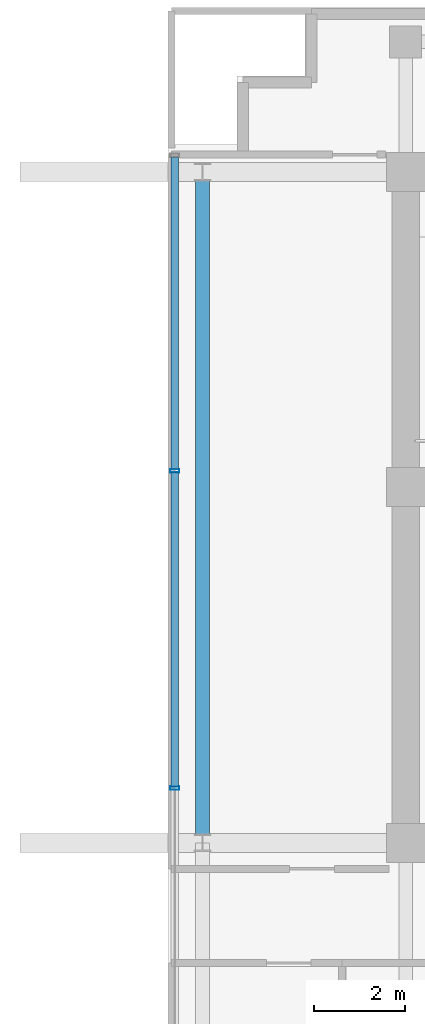
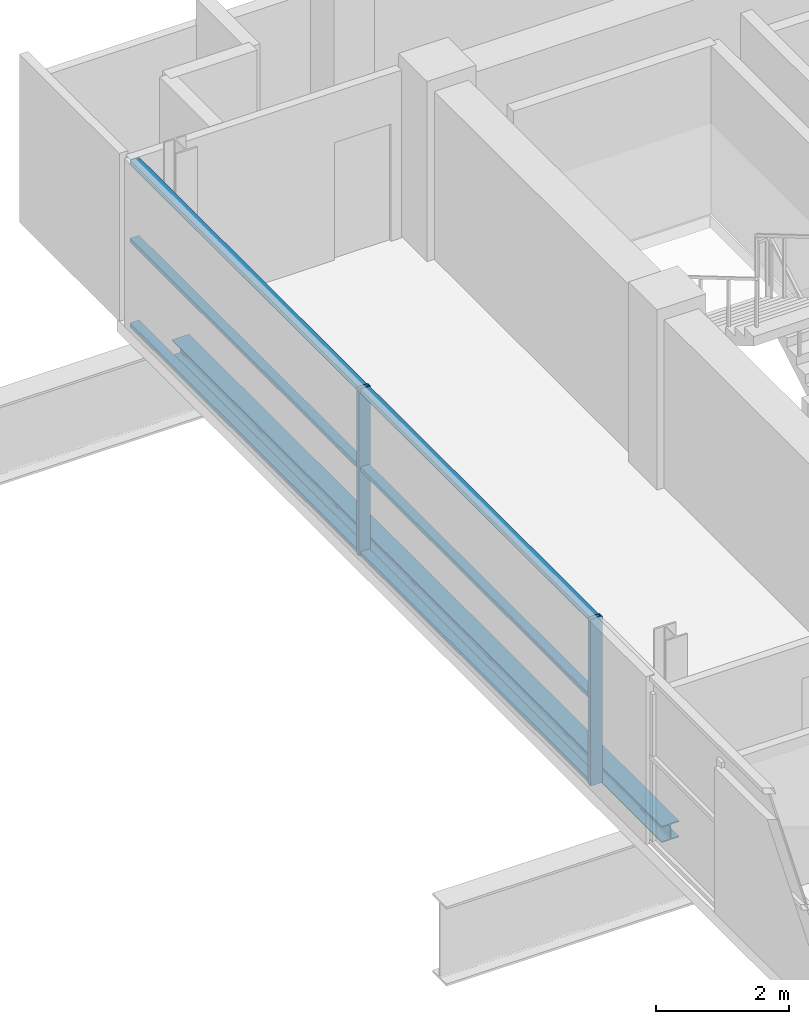
# One storey, part 7 of 23: 8 members, 1 beam, 1 element without a shape of its own.
"""IFC4 building model written with IfcOpenShell, lengths in metres."""

from ifc_helpers import new_model, si_unit, direction, frame, origin, origin_2d, place, context, subcontext, project, spatial, hollow_rectangle, i_section, extrude, source, transform, mapped, material, layer, layer_set, material_profile, profile_set, type_object, element, aggregate, save


model = new_model("IFC4")

# Units and contexts
model_context = context("Model", 3, precision=1e-05, world=origin(), true_north=direction((0.0, 1.0)))
body_context = subcontext(model_context, "Body", "Model", "MODEL_VIEW")
ifc_project = project(units=[si_unit("LENGTHUNIT", "METRE"), si_unit("AREAUNIT", "SQUARE_METRE"), si_unit("VOLUMEUNIT", "CUBIC_METRE"), si_unit("PLANEANGLEUNIT", "RADIAN"), si_unit("MASSUNIT", "GRAM", prefix="KILO")], contexts=[model_context])

# Site, building, storey
site_placement = place(None, origin())
site = spatial("IfcSite", under=ifc_project, at=site_placement, CompositionType="ELEMENT")
building_placement = place(site_placement, origin())
building = spatial("IfcBuilding", under=site, at=building_placement, Name="Zarnakvel Exchange Tower", CompositionType="ELEMENT")
storey_placement = place(building_placement, frame((0.0, 0.0, 232.0)))
storey = spatial("IfcBuildingStorey", under=building, at=storey_placement, Name="L65", CompositionType="ELEMENT", Elevation=232.0)

# Beam
ifc_material_1 = material(Name="Steel S355", Category="steel")
ifc_material_profile_1 = material_profile(ifc_material_1, i_section(OverallWidth=0.300048828125, OverallDepth=0.300048828125, WebThickness=0.010986328125, FlangeThickness=0.01904296875, FilletRadius=0.027099609375, at=origin_2d()))
ifc_profile_set_1 = profile_set([ifc_material_profile_1], Name="Steel S355")
beam_type = type_object("IfcBeamType", Name="SP-03", PredefinedType="SPANDREL", material=ifc_profile_set_1)
beam_placement = place(storey_placement, frame((-18.85009765625, -1.199951171875, -0.375), z_axis=(0.0, 1.0, 0.0), x_axis=(-1.0, 0.0, 0.0)))
element("IfcBeam", 1, at=beam_placement, inside=storey, type_object=beam_type, Name="L65 Tower N-S Frame Beam", PredefinedType="SPANDREL", context=body_context, shape_type="SweptSolid", body=[
    extrude(i_section(OverallWidth=0.300048828125, OverallDepth=0.300048828125, WebThickness=0.010986328125, FlangeThickness=0.01904296875, FilletRadius=0.027099609375, at=origin_2d()), origin(), (0.0, 0.0, 1.0), 14.699951171875),
])

# Curtain wall, members
ifc_material_2 = material(Name="Architectural Bronze Anodised Aluminium", Category="aluminium")
ifc_layer = layer(ifc_material_2, 0.199951171875)
ifc_layer_set = layer_set([ifc_layer], Name="Architectural Bronze Anodised Aluminium")
curtain_wall_type = type_object("IfcCurtainWallType", Name="CW-04", PredefinedType="NOTDEFINED", material=ifc_layer_set)
curtain_wall_placement = place(storey_placement, origin())
curtain_wall = element("IfcCurtainWall", 2, at=curtain_wall_placement, inside=storey, type_object=curtain_wall_type, Name="L65 Curtain Wall CW-L65-W1 (CW-04)", PredefinedType="NOTDEFINED")
ifc_material_profile_2 = material_profile(ifc_material_2, hollow_rectangle(XDim=0.199951171875, YDim=0.074951171875, WallThickness=0.0048828125, at=origin_2d()))
ifc_profile_set_2 = profile_set([ifc_material_profile_2], Name="Architectural Bronze Anodised Aluminium")
member_type_1 = type_object("IfcMemberType", Name="CWM-04", PredefinedType="MULLION", material=ifc_profile_set_2)
shared_shape_1 = source(origin(), body_context, "Body", "SweptSolid", [
    extrude(hollow_rectangle(XDim=0.199951171875, YDim=0.074951171875, WallThickness=0.0048828125, at=origin_2d()), origin(), (0.0, 0.0, 1.0), 3.054931640625),
])
member_1_placement = place(storey_placement, frame((-19.4599609375, 0.0, 0.0), z_axis=(0.0, 0.0, 1.0), x_axis=(-1.0, 0.0, 0.0)))
member_1 = element("IfcMember", 3, at=member_1_placement, type_object=member_type_1, Name="CW-04 mullion 3", PredefinedType="MULLION", context=body_context, shape_type="MappedRepresentation", body=[
    mapped(shared_shape_1, transform((0.0, 0.0, 0.0), x_axis=(1.0, 0.0, 0.0), y_axis=(0.0, 1.0, 0.0), z_axis=(0.0, 0.0, 1.0), scale=1.0)),
])
member_2_placement = place(storey_placement, frame((-19.4599609375, 6.949951171875, 0.0), z_axis=(0.0, 0.0, 1.0), x_axis=(-1.0, 0.0, 0.0)))
member_2 = element("IfcMember", 4, at=member_2_placement, type_object=member_type_1, Name="CW-04 mullion 4", PredefinedType="MULLION", context=body_context, shape_type="MappedRepresentation", body=[
    mapped(shared_shape_1, transform((0.0, 0.0, 0.0), x_axis=(1.0, 0.0, 0.0), y_axis=(0.0, 1.0, 0.0), z_axis=(0.0, 0.0, 1.0), scale=1.0)),
])
ifc_material_profile_3 = material_profile(ifc_material_2, hollow_rectangle(XDim=0.159912109375, YDim=0.074951171875, WallThickness=0.00390625, at=origin_2d()))
ifc_profile_set_3 = profile_set([ifc_material_profile_3], Name="Architectural Bronze Anodised Aluminium")
member_type_2 = type_object("IfcMemberType", Name="CWT-04", PredefinedType="USERDEFINED", material=ifc_profile_set_3)
shared_shape_2 = source(origin(), body_context, "Body", "SweptSolid", [
    extrude(hollow_rectangle(XDim=0.159912109375, YDim=0.074951171875, WallThickness=0.00390625, at=origin_2d()), origin(), (0.0, 0.0, 1.0), 6.83740234375),
])
member_3_placement = place(storey_placement, frame((-19.4599609375, 6.987548828125, 0.03759765625), z_axis=(0.0, 1.0, 0.0), x_axis=(-1.0, 0.0, 0.0)))
member_3 = element("IfcMember", 5, at=member_3_placement, type_object=member_type_2, Name="CW-04 transom 4.1", ObjectType="TRANSOM", PredefinedType="USERDEFINED", context=body_context, shape_type="MappedRepresentation", body=[
    mapped(shared_shape_2, transform((0.0, 0.0, 0.0), x_axis=(1.0, 0.0, 0.0), y_axis=(0.0, 1.0, 0.0), z_axis=(0.0, 0.0, 1.0), scale=1.0)),
])
member_4_placement = place(storey_placement, frame((-19.4599609375, 6.987548828125, 1.588623046875), z_axis=(0.0, 1.0, 0.0), x_axis=(-1.0, 0.0, 0.0)))
member_4 = element("IfcMember", 6, at=member_4_placement, type_object=member_type_2, Name="CW-04 transom 4.2", ObjectType="TRANSOM", PredefinedType="USERDEFINED", context=body_context, shape_type="MappedRepresentation", body=[
    mapped(shared_shape_2, transform((0.0, 0.0, 0.0), x_axis=(1.0, 0.0, 0.0), y_axis=(0.0, 1.0, 0.0), z_axis=(0.0, 0.0, 1.0), scale=1.0)),
])
member_5_placement = place(storey_placement, frame((-19.4599609375, 6.987548828125, 3.017578125), z_axis=(0.0, 1.0, 0.0), x_axis=(-1.0, 0.0, 0.0)))
member_5 = element("IfcMember", 7, at=member_5_placement, type_object=member_type_2, Name="CW-04 transom 4.3", ObjectType="TRANSOM", PredefinedType="USERDEFINED", context=body_context, shape_type="MappedRepresentation", body=[
    mapped(shared_shape_2, transform((0.0, 0.0, 0.0), x_axis=(1.0, 0.0, 0.0), y_axis=(0.0, 1.0, 0.0), z_axis=(0.0, 0.0, 1.0), scale=1.0)),
])
shared_shape_3 = source(origin(), body_context, "Body", "SweptSolid", [
    extrude(hollow_rectangle(XDim=0.159912109375, YDim=0.074951171875, WallThickness=0.00390625, at=origin_2d()), origin(), (0.0, 0.0, 1.0), 6.875),
])
member_6_placement = place(storey_placement, frame((-19.4599609375, 0.03759765625, 0.03759765625), z_axis=(0.0, 1.0, 0.0), x_axis=(-1.0, 0.0, 0.0)))
member_6 = element("IfcMember", 8, at=member_6_placement, type_object=member_type_2, Name="CW-04 transom 3.1", ObjectType="TRANSOM", PredefinedType="USERDEFINED", context=body_context, shape_type="MappedRepresentation", body=[
    mapped(shared_shape_3, transform((0.0, 0.0, 0.0), x_axis=(1.0, 0.0, 0.0), y_axis=(0.0, 1.0, 0.0), z_axis=(0.0, 0.0, 1.0), scale=1.0)),
])
member_7_placement = place(storey_placement, frame((-19.4599609375, 0.03759765625, 1.588623046875), z_axis=(0.0, 1.0, 0.0), x_axis=(-1.0, 0.0, 0.0)))
member_7 = element("IfcMember", 9, at=member_7_placement, type_object=member_type_2, Name="CW-04 transom 3.2", ObjectType="TRANSOM", PredefinedType="USERDEFINED", context=body_context, shape_type="MappedRepresentation", body=[
    mapped(shared_shape_3, transform((0.0, 0.0, 0.0), x_axis=(1.0, 0.0, 0.0), y_axis=(0.0, 1.0, 0.0), z_axis=(0.0, 0.0, 1.0), scale=1.0)),
])
member_8_placement = place(storey_placement, frame((-19.4599609375, 0.03759765625, 3.017578125), z_axis=(0.0, 1.0, 0.0), x_axis=(-1.0, 0.0, 0.0)))
member_8 = element("IfcMember", 10, at=member_8_placement, type_object=member_type_2, Name="CW-04 transom 3.3", ObjectType="TRANSOM", PredefinedType="USERDEFINED", context=body_context, shape_type="MappedRepresentation", body=[
    mapped(shared_shape_3, transform((0.0, 0.0, 0.0), x_axis=(1.0, 0.0, 0.0), y_axis=(0.0, 1.0, 0.0), z_axis=(0.0, 0.0, 1.0), scale=1.0)),
])
aggregate(curtain_wall, [member_1, member_2, member_6, member_7, member_8, member_3, member_4, member_5])

save(model, "model.ifc")
